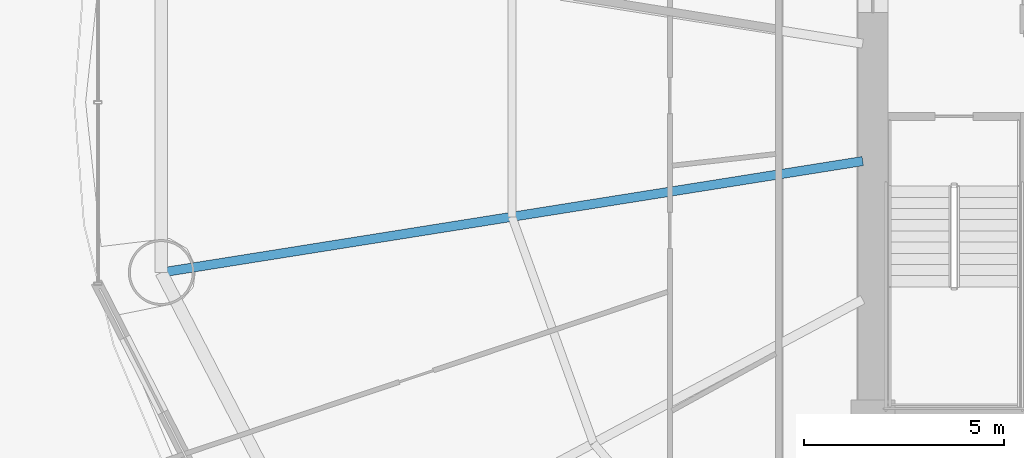
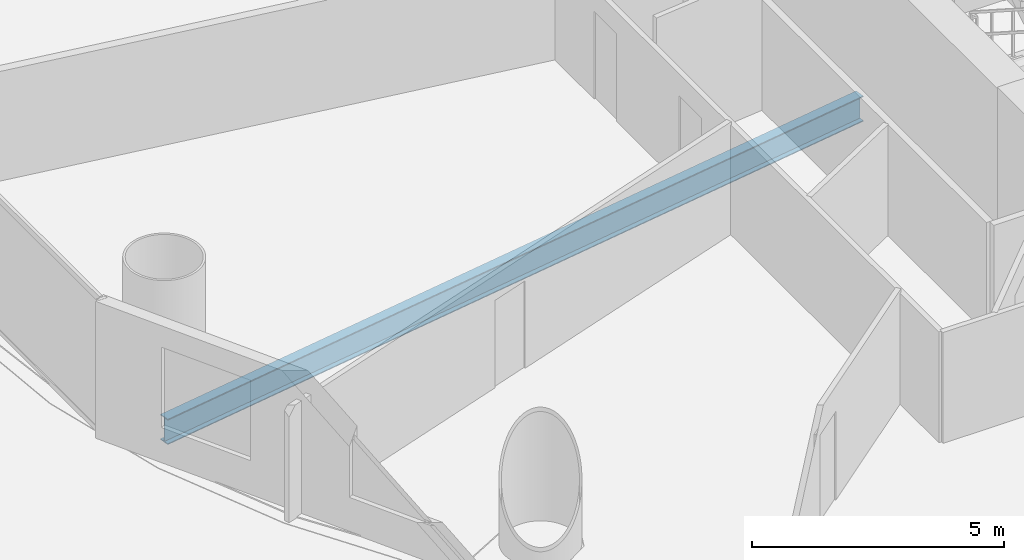
# One storey, part 8 of 37: 1 beam.
"""IFC4 building model written with IfcOpenShell, lengths in metres."""

from ifc_helpers import new_model, si_unit, direction, frame, origin, origin_2d, place, context, subcontext, project, spatial, i_section, extrude, material, material_profile, profile_set, type_object, element, save


model = new_model("IFC4")

# Units and contexts
model_context = context("Model", 3, precision=1e-05, world=origin(), true_north=direction((-0.2419218956, 0.970295726276)))
body_context = subcontext(model_context, "Body", "Model", "MODEL_VIEW")
ifc_project = project(units=[si_unit("LENGTHUNIT", "METRE"), si_unit("AREAUNIT", "SQUARE_METRE"), si_unit("VOLUMEUNIT", "CUBIC_METRE"), si_unit("PLANEANGLEUNIT", "RADIAN"), si_unit("MASSUNIT", "GRAM", prefix="KILO")], contexts=[model_context])

# Site, building, storey
site_placement = place(None, origin())
site = spatial("IfcSite", under=ifc_project, at=site_placement, CompositionType="ELEMENT")
building_placement = place(site_placement, origin())
building = spatial("IfcBuilding", under=site, at=building_placement, Name="Cobrevalo Terracotta Tower", CompositionType="ELEMENT")
storey_placement = place(building_placement, frame((0.0, 0.0, 24.0)))
storey = spatial("IfcBuildingStorey", under=building, at=storey_placement, Name="L05", CompositionType="ELEMENT", Elevation=24.0)

# Beam
ifc_material = material(Name="Steel S355", Category="steel")
ifc_material_profile = material_profile(ifc_material, i_section(OverallWidth=0.22998046875, OverallDepth=0.616943359375, WebThickness=0.01318359375, FlangeThickness=0.022216796875, at=origin_2d()), Name="W 610x140")
ifc_profile_set = profile_set([ifc_material_profile], Name="Steel S355")
beam_type = type_object("IfcBeamType", Name="Structural Beam W 610x140 (Steel S355)", PredefinedType="BEAM", material=ifc_profile_set)
beam_placement = place(storey_placement, frame((11.175537109375, 22.537353515625, -0.58837890625), z_axis=(0.987607924622, 0.156941349628, 0.0), x_axis=(-0.156941349628, 0.987607924622, 0.0)))
element("IfcBeam", 1, at=beam_placement, inside=storey, type_object=beam_type, Name="L05 radial floor girder 09", PredefinedType="BEAM", context=body_context, shape_type="SweptSolid", body=[
    extrude(i_section(OverallWidth=0.22998046875, OverallDepth=0.616943359375, WebThickness=0.01318359375, FlangeThickness=0.022216796875, at=origin_2d()), origin(), (0.0, 0.0, 1.0), 17.7900390625),
])

save(model, "model.ifc")
